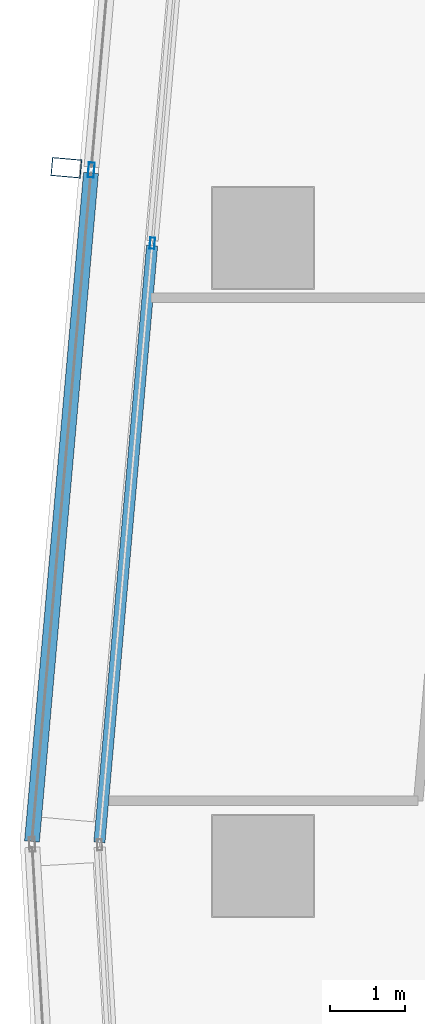
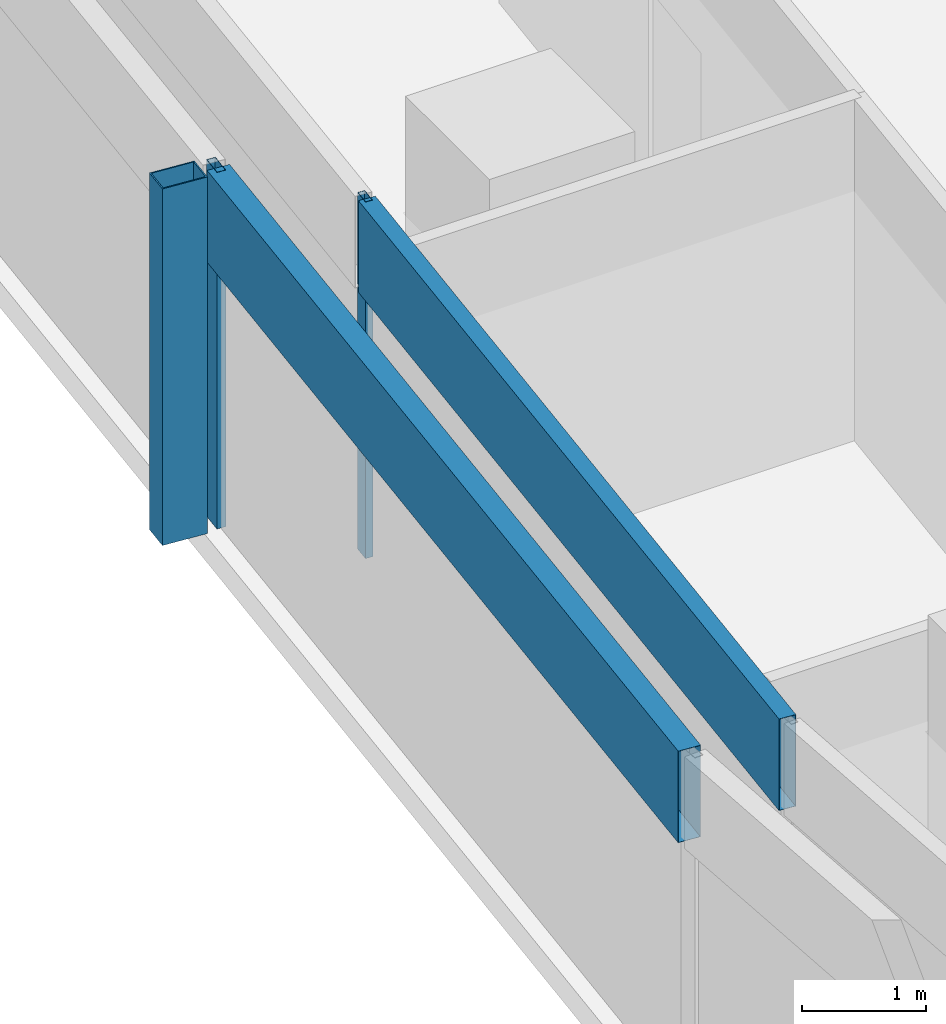
# One storey, part 16 of 38: 5 members, 2 elements without a shape of their own.
"""IFC4 building model written with IfcOpenShell, lengths in metres."""

from ifc_helpers import new_model, si_unit, direction, frame, origin, origin_2d, place, context, subcontext, project, spatial, hollow_rectangle, extrude, material, material_profile, profile_set, type_object, element, aggregate, save


model = new_model("IFC4")

# Units and contexts
model_context = context("Model", 3, precision=1e-05, world=origin(), true_north=direction((0.0, 1.0)))
body_context = subcontext(model_context, "Body", "Model", "MODEL_VIEW")
ifc_project = project(units=[si_unit("LENGTHUNIT", "METRE"), si_unit("AREAUNIT", "SQUARE_METRE"), si_unit("VOLUMEUNIT", "CUBIC_METRE"), si_unit("PLANEANGLEUNIT", "RADIAN"), si_unit("MASSUNIT", "GRAM", prefix="KILO")], contexts=[model_context])

# Site, building, storey
site_placement = place(None, origin())
site = spatial("IfcSite", under=ifc_project, at=site_placement, CompositionType="ELEMENT")
building_placement = place(site_placement, origin())
building = spatial("IfcBuilding", under=site, at=building_placement, Name="Rekha Terrace Tower", CompositionType="ELEMENT")
storey_placement = place(building_placement, frame((0.0, 0.0, 202.699951171875)))
storey = spatial("IfcBuildingStorey", under=building, at=storey_placement, Name="L51", CompositionType="ELEMENT", Elevation=202.699951171875)

# Curtain wall, member
ifc_material_1 = material(Name="Aluminium framing", Category="aluminium")
curtain_wall_type_1 = type_object("IfcCurtainWallType", Name="CW2 double skin outer glazing", PredefinedType="USERDEFINED", material=ifc_material_1)
curtain_wall_1_placement = place(storey_placement, origin())
curtain_wall_1 = element("IfcCurtainWall", 1, at=curtain_wall_1_placement, inside=storey, type_object=curtain_wall_type_1, Name="CW2 double skin outer glazing", ObjectType="DOUBLE SKIN OUTER GLAZING", PredefinedType="USERDEFINED")
ifc_material_2 = material(Name="Steel S355 with fluorocarbon finish", Category="steel")
ifc_material_profile_1 = material_profile(ifc_material_2, hollow_rectangle(XDim=0.25, YDim=0.39990234375, WallThickness=0.012451171875, at=origin_2d()), Name="RHS400x250x12.5")
ifc_profile_set_1 = profile_set([ifc_material_profile_1], Name="Steel S355 with fluorocarbon finish")
member_type_1 = type_object("IfcMemberType", Name="BL1 facade blade RHS 400 x 250", PredefinedType="USERDEFINED", material=ifc_profile_set_1)
member_1_placement = place(storey_placement, frame((5.77001953125, 51.341796875, 0.0), z_axis=(0.0, 0.0, 1.0), x_axis=(-0.087957249501, -0.996124250413, 0.0)))
member_1 = element("IfcMember", 2, at=member_1_placement, type_object=member_type_1, Name="Facade blade", ObjectType="FACADE BLADE", PredefinedType="USERDEFINED", context=body_context, shape_type="SweptSolid", body=[
    extrude(hollow_rectangle(XDim=0.25, YDim=0.39990234375, WallThickness=0.012451171875, at=origin_2d()), origin(), (0.0, 0.0, 1.0), 3.5),
])

# Curtain wall, members
curtain_wall_type_2 = type_object("IfcCurtainWallType", Name="CW1 double skin inner glazing", PredefinedType="USERDEFINED", material=ifc_material_1)
curtain_wall_2_placement = place(storey_placement, origin())
curtain_wall_2 = element("IfcCurtainWall", 3, at=curtain_wall_2_placement, inside=storey, type_object=curtain_wall_type_2, Name="CW1 double skin inner glazing", ObjectType="DOUBLE SKIN INNER GLAZING", PredefinedType="USERDEFINED")
ifc_material_3 = material(Name="Aluminium mullion section", Category="aluminium")
ifc_material_profile_2 = material_profile(ifc_material_3, hollow_rectangle(XDim=0.06494140625, YDim=0.14990234375, WallThickness=0.00390625, at=origin_2d()), Name="AL RHS 65x150")
ifc_profile_set_2 = profile_set([ifc_material_profile_2], Name="Aluminium mullion section")
member_type_2 = type_object("IfcMemberType", Name="CW1 mullion RHS 65 x 150", PredefinedType="MULLION", material=ifc_profile_set_2)
member_2_placement = place(storey_placement, frame((6.920654296875, 50.331787109375, 0.0), z_axis=(0.0, 0.0, 1.0), x_axis=(0.996124185422, -0.087957985523, 0.0)))
member_2 = element("IfcMember", 4, at=member_2_placement, type_object=member_type_2, Name="CW1 mullion 2", PredefinedType="MULLION", context=body_context, shape_type="SweptSolid", body=[
    extrude(hollow_rectangle(XDim=0.06494140625, YDim=0.14990234375, WallThickness=0.00390625, at=origin_2d()), origin(), (0.0, 0.0, 1.0), 3.5),
])
ifc_material_4 = material(Name="Insulated aluminium spandrel box", Category="aluminium")
ifc_material_profile_3 = material_profile(ifc_material_4, hollow_rectangle(XDim=0.14990234375, YDim=0.89990234375, WallThickness=0.0029296875, at=origin_2d()), Name="AL SPANDREL BOX 150x900")
ifc_profile_set_3 = profile_set([ifc_material_profile_3], Name="Insulated aluminium spandrel box")
member_type_3 = type_object("IfcMemberType", Name="CW1 spandrel transom 150 x 900", PredefinedType="USERDEFINED", material=ifc_profile_set_3)
member_3_placement = place(storey_placement, frame((6.917724609375, 50.29931640625, 3.050048828125), z_axis=(-0.087959586596, -0.996124044046, 0.0), x_axis=(0.996124044046, -0.087959586596, 0.0)))
member_3 = element("IfcMember", 5, at=member_3_placement, type_object=member_type_3, Name="CW1 spandrel transom 2", ObjectType="TRANSOM", PredefinedType="USERDEFINED", context=body_context, shape_type="SweptSolid", body=[
    extrude(hollow_rectangle(XDim=0.14990234375, YDim=0.89990234375, WallThickness=0.0029296875, at=origin_2d()), origin(), (0.0, 0.0, 1.0), 8.015869140625),
])
aggregate(curtain_wall_2, [member_2, member_3])

# Member
ifc_material_profile_4 = material_profile(ifc_material_3, hollow_rectangle(XDim=0.080078125, YDim=0.199951171875, WallThickness=0.00390625, at=origin_2d()), Name="AL RHS 80x200")
ifc_profile_set_4 = profile_set([ifc_material_profile_4], Name="Aluminium mullion section")
member_type_4 = type_object("IfcMemberType", Name="CW2 mullion RHS 80 x 200", PredefinedType="MULLION", material=ifc_profile_set_4)
member_4_placement = place(storey_placement, frame((6.103759765625, 51.312255859375, 0.0), z_axis=(0.0, 0.0, 1.0), x_axis=(0.996124185428, -0.087957985453, 0.0)))
member_4 = element("IfcMember", 6, at=member_4_placement, type_object=member_type_4, Name="CW2 mullion 2", PredefinedType="MULLION", context=body_context, shape_type="SweptSolid", body=[
    extrude(hollow_rectangle(XDim=0.080078125, YDim=0.199951171875, WallThickness=0.00390625, at=origin_2d()), origin(), (0.0, 0.0, 1.0), 3.5),
])

ifc_material_profile_5 = material_profile(ifc_material_4, hollow_rectangle(XDim=0.199951171875, YDim=0.89990234375, WallThickness=0.0029296875, at=origin_2d()), Name="AL SPANDREL BOX 200x900")
ifc_profile_set_5 = profile_set([ifc_material_profile_5], Name="Insulated aluminium spandrel box")
member_type_5 = type_object("IfcMemberType", Name="CW2 spandrel transom 200 x 900", PredefinedType="USERDEFINED", material=ifc_profile_set_5)
member_5_placement = place(storey_placement, frame((6.100341796875, 51.2724609375, 3.050048828125), z_axis=(-0.087981092326, -0.996122144816, 0.0), x_axis=(0.996122144816, -0.087981092326, 0.0)))
member_5 = element("IfcMember", 7, at=member_5_placement, type_object=member_type_5, Name="CW2 spandrel transom 2", ObjectType="TRANSOM", PredefinedType="USERDEFINED", context=body_context, shape_type="SweptSolid", body=[
    extrude(hollow_rectangle(XDim=0.199951171875, YDim=0.89990234375, WallThickness=0.0029296875, at=origin_2d()), origin(), (0.0, 0.0, 1.0), 8.979736328125),
])

aggregate(curtain_wall_1, [member_4, member_5, member_1])

save(model, "model.ifc")
